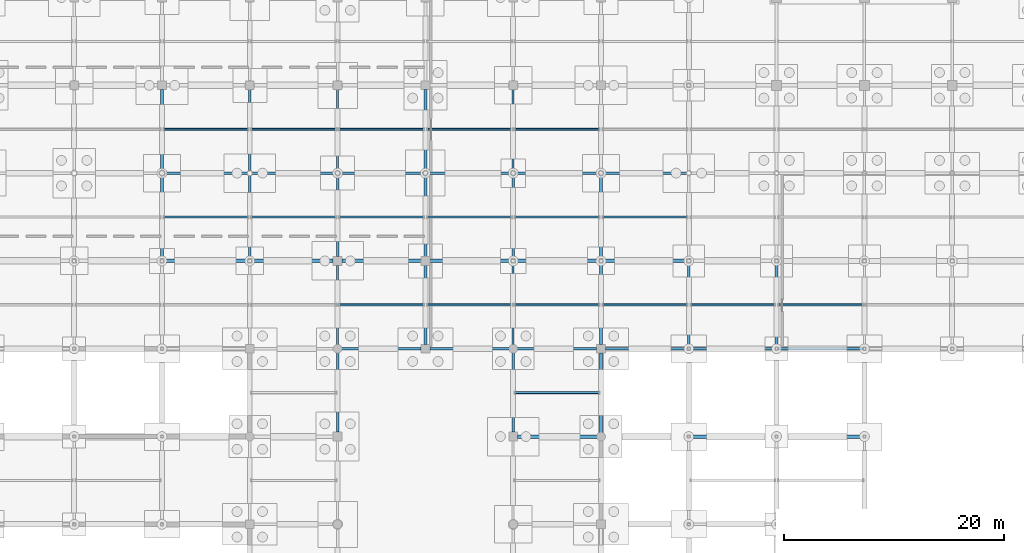
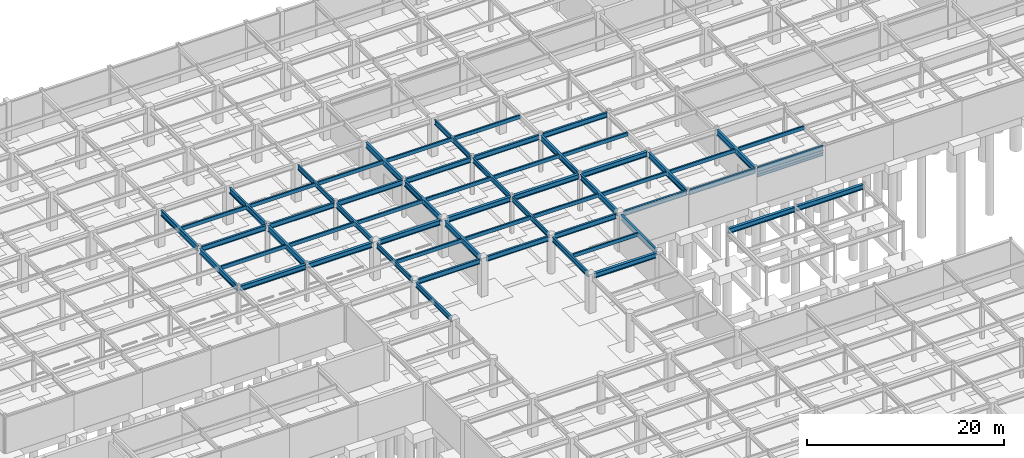
# One storey, part 49 of 105: 60 beams.
"""IFC4 building model written with IfcOpenShell, lengths in metres."""

from ifc_helpers import new_model, si_unit, direction, frame, origin, origin_2d, place, context, subcontext, project, spatial, hollow_rectangle, i_section, extrude, material, material_profile, profile_set, type_object, element, save


model = new_model("IFC4")

# Units and contexts
model_context = context("Model", 3, precision=1e-05, world=origin(), true_north=direction((0.0, 1.0)))
body_context = subcontext(model_context, "Body", "Model", "MODEL_VIEW")
ifc_project = project(units=[si_unit("LENGTHUNIT", "METRE"), si_unit("AREAUNIT", "SQUARE_METRE"), si_unit("VOLUMEUNIT", "CUBIC_METRE"), si_unit("PLANEANGLEUNIT", "RADIAN"), si_unit("MASSUNIT", "GRAM", prefix="KILO")], contexts=[model_context])

# Site, building, storey
site_placement = place(None, origin())
site = spatial("IfcSite", under=ifc_project, at=site_placement, CompositionType="ELEMENT")
building_placement = place(site_placement, origin())
building = spatial("IfcBuilding", under=site, at=building_placement, Name="Solmirada Galleria", CompositionType="ELEMENT")
storey_placement = place(building_placement, frame((0.0, 0.0, -4.800048828125)))
storey = spatial("IfcBuildingStorey", under=building, at=storey_placement, Name="B1", CompositionType="ELEMENT", Elevation=-4.800048828125)

# Beams
ifc_material_1 = material(Name="Steel S355 / ASTM A992 Grade 50", Category="steel")
ifc_material_profile_1 = material_profile(ifc_material_1, i_section(OverallWidth=0.323974609375, OverallDepth=0.611083984375, WebThickness=0.0126953125, FlangeThickness=0.01904296875, FilletRadius=0.014892578125, at=origin_2d()), Name="W24X104")
ifc_profile_set_1 = profile_set([ifc_material_profile_1], Name="Steel S355 / ASTM A992 Grade 50")
beam_type_1 = type_object("IfcBeamType", Name="BM-GIRD-W24A", PredefinedType="BEAM", material=ifc_profile_set_1)
beam_1_placement = place(storey_placement, frame((72.177978515625, 80.0, 4.274658203125), z_axis=(1.0, 0.0, 0.0), x_axis=(0.0, 1.0, 0.0)))
element("IfcBeam", 1, at=beam_1_placement, inside=storey, type_object=beam_type_1, Name="Primary beam L00 X(72..80, 80)", PredefinedType="BEAM", context=body_context, shape_type="SweptSolid", body=[
    extrude(i_section(OverallWidth=0.323974609375, OverallDepth=0.611083984375, WebThickness=0.0126953125, FlangeThickness=0.01904296875, FilletRadius=0.014892578125, at=origin_2d()), origin(), (0.0, 0.0, 1.0), 7.64404296875),
])
beam_2_placement = place(storey_placement, frame((80.177978515625, 80.0, 4.274658203125), z_axis=(1.0, 0.0, 0.0), x_axis=(0.0, 1.0, 0.0)))
element("IfcBeam", 2, at=beam_2_placement, inside=storey, type_object=beam_type_1, Name="Primary beam L00 X(80..88, 80)", PredefinedType="BEAM", context=body_context, shape_type="SweptSolid", body=[
    extrude(i_section(OverallWidth=0.323974609375, OverallDepth=0.611083984375, WebThickness=0.0126953125, FlangeThickness=0.01904296875, FilletRadius=0.014892578125, at=origin_2d()), origin(), (0.0, 0.0, 1.0), 7.422119140625),
])
beam_3_placement = place(storey_placement, frame((88.39990234375, 80.0, 4.274658203125), z_axis=(1.0, 0.0, 0.0), x_axis=(0.0, 1.0, 0.0)))
element("IfcBeam", 3, at=beam_3_placement, inside=storey, type_object=beam_type_1, Name="Primary beam L00 X(88..96, 80)", PredefinedType="BEAM", context=body_context, shape_type="SweptSolid", body=[
    extrude(i_section(OverallWidth=0.323974609375, OverallDepth=0.611083984375, WebThickness=0.0126953125, FlangeThickness=0.01904296875, FilletRadius=0.014892578125, at=origin_2d()), origin(), (0.0, 0.0, 1.0), 7.2001953125),
])
beam_4_placement = place(storey_placement, frame((96.39990234375, 80.0, 4.274658203125), z_axis=(1.0, 0.0, 0.0), x_axis=(0.0, 1.0, 0.0)))
element("IfcBeam", 4, at=beam_4_placement, inside=storey, type_object=beam_type_1, Name="Primary beam L00 X(96..104, 80)", PredefinedType="BEAM", context=body_context, shape_type="SweptSolid", body=[
    extrude(i_section(OverallWidth=0.323974609375, OverallDepth=0.611083984375, WebThickness=0.0126953125, FlangeThickness=0.01904296875, FilletRadius=0.014892578125, at=origin_2d()), origin(), (0.0, 0.0, 1.0), 7.422119140625),
])
beam_5_placement = place(storey_placement, frame((104.39990234375, 64.0, 4.274658203125), z_axis=(1.0, 0.0, 0.0), x_axis=(0.0, 1.0, 0.0)))
element("IfcBeam", 5, at=beam_5_placement, inside=storey, type_object=beam_type_1, Name="Primary beam L00 X(104..112, 64)", PredefinedType="BEAM", context=body_context, shape_type="SweptSolid", body=[
    extrude(i_section(OverallWidth=0.323974609375, OverallDepth=0.611083984375, WebThickness=0.0126953125, FlangeThickness=0.01904296875, FilletRadius=0.014892578125, at=origin_2d()), origin(), (0.0, 0.0, 1.0), 7.26416015625),
])
for number, where, z_axis, x_axis, name in (
    (6, (104.177978515625, 80.0, 4.274658203125), (1.0, 0.0, 0.0), (0.0, 1.0, 0.0), "Primary beam L00 X(104..112, 80)"),
    (7, (112.177978515625, 80.0, 4.274658203125), (1.0, 0.0, 0.0), (0.0, 1.0, 0.0), "Primary beam L00 X(112..120, 80)"),
):
    element("IfcBeam", number, at=place(storey_placement, frame(where, z_axis=z_axis, x_axis=x_axis)), inside=storey, type_object=beam_type_1, Name=name, PredefinedType="BEAM", context=body_context, shape_type="SweptSolid", body=[
        extrude(i_section(OverallWidth=0.323974609375, OverallDepth=0.611083984375, WebThickness=0.0126953125, FlangeThickness=0.01904296875, FilletRadius=0.014892578125, at=origin_2d()), origin(), (0.0, 0.0, 1.0), 7.64404296875),
    ])
for number, where, z_axis, x_axis, name in (
    (8, (120.126953125, 64.0, 4.274658203125), (1.0, 0.0, 0.0), (0.0, 1.0, 0.0), "Primary beam L00 X(120..128, 64)"),
    (9, (128.126953125, 64.0, 4.274658203125), (1.0, 0.0, 0.0), (0.0, 1.0, 0.0), "Primary beam L00 X(128..136, 64)"),
):
    element("IfcBeam", number, at=place(storey_placement, frame(where, z_axis=z_axis, x_axis=x_axis)), inside=storey, type_object=beam_type_1, Name=name, PredefinedType="BEAM", context=body_context, shape_type="SweptSolid", body=[
        extrude(i_section(OverallWidth=0.323974609375, OverallDepth=0.611083984375, WebThickness=0.0126953125, FlangeThickness=0.01904296875, FilletRadius=0.014892578125, at=origin_2d()), origin(), (0.0, 0.0, 1.0), 7.74609375),
    ])
ifc_material_profile_2 = material_profile(ifc_material_1, i_section(OverallWidth=0.22900390625, OverallDepth=0.612060546875, WebThickness=0.011962890625, FlangeThickness=0.01953125, FilletRadius=0.014892578125, at=origin_2d()), Name="W24X84")
ifc_profile_set_2 = profile_set([ifc_material_profile_2], Name="Steel S355 / ASTM A992 Grade 50")
beam_type_2 = type_object("IfcBeamType", Name="BM-GIRD-W24B", PredefinedType="BEAM", material=ifc_profile_set_2)
beam_6_placement = place(storey_placement, frame((72.21337890625, 88.0, 4.274169921875), z_axis=(1.0, 0.0, 0.0), x_axis=(0.0, 1.0, 0.0)))
element("IfcBeam", 10, at=beam_6_placement, inside=storey, type_object=beam_type_2, Name="Primary beam L00 X(72..80, 88)", PredefinedType="BEAM", context=body_context, shape_type="SweptSolid", body=[
    extrude(i_section(OverallWidth=0.22900390625, OverallDepth=0.612060546875, WebThickness=0.011962890625, FlangeThickness=0.01953125, FilletRadius=0.014892578125, at=origin_2d()), origin(), (0.0, 0.0, 1.0), 7.5732421875),
])
beam_7_placement = place(storey_placement, frame((80.21337890625, 88.0, 4.274169921875), z_axis=(1.0, 0.0, 0.0), x_axis=(0.0, 1.0, 0.0)))
element("IfcBeam", 11, at=beam_7_placement, inside=storey, type_object=beam_type_2, Name="Primary beam L00 X(80..88, 88)", PredefinedType="BEAM", context=body_context, shape_type="SweptSolid", body=[
    extrude(i_section(OverallWidth=0.22900390625, OverallDepth=0.612060546875, WebThickness=0.011962890625, FlangeThickness=0.01953125, FilletRadius=0.014892578125, at=origin_2d()), origin(), (0.0, 0.0, 1.0), 7.5947265625),
])
beam_8_placement = place(storey_placement, frame((88.3359375, 72.0, 4.274169921875), z_axis=(1.0, 0.0, 0.0), x_axis=(0.0, 1.0, 0.0)))
element("IfcBeam", 12, at=beam_8_placement, inside=storey, type_object=beam_type_2, Name="Primary beam L00 X(88..96, 72)", PredefinedType="BEAM", context=body_context, shape_type="SweptSolid", body=[
    extrude(i_section(OverallWidth=0.22900390625, OverallDepth=0.612060546875, WebThickness=0.011962890625, FlangeThickness=0.01953125, FilletRadius=0.014892578125, at=origin_2d()), origin(), (0.0, 0.0, 1.0), 7.26416015625),
])
beam_9_placement = place(storey_placement, frame((88.19189453125, 88.0, 4.274169921875), z_axis=(1.0, 0.0, 0.0), x_axis=(0.0, 1.0, 0.0)))
element("IfcBeam", 13, at=beam_9_placement, inside=storey, type_object=beam_type_2, Name="Primary beam L00 X(88..96, 88)", PredefinedType="BEAM", context=body_context, shape_type="SweptSolid", body=[
    extrude(i_section(OverallWidth=0.22900390625, OverallDepth=0.612060546875, WebThickness=0.011962890625, FlangeThickness=0.01953125, FilletRadius=0.014892578125, at=origin_2d()), origin(), (0.0, 0.0, 1.0), 7.6162109375),
])
beam_10_placement = place(storey_placement, frame((96.39990234375, 72.0, 4.274169921875), z_axis=(1.0, 0.0, 0.0), x_axis=(0.0, 1.0, 0.0)))
element("IfcBeam", 14, at=beam_10_placement, inside=storey, type_object=beam_type_2, Name="Primary beam L00 X(96..104, 72)", PredefinedType="BEAM", context=body_context, shape_type="SweptSolid", body=[
    extrude(i_section(OverallWidth=0.22900390625, OverallDepth=0.612060546875, WebThickness=0.011962890625, FlangeThickness=0.01953125, FilletRadius=0.014892578125, at=origin_2d()), origin(), (0.0, 0.0, 1.0), 7.26416015625),
])
beam_11_placement = place(storey_placement, frame((96.19189453125, 88.0, 4.274169921875), z_axis=(1.0, 0.0, 0.0), x_axis=(0.0, 1.0, 0.0)))
element("IfcBeam", 15, at=beam_11_placement, inside=storey, type_object=beam_type_2, Name="Primary beam L00 X(96..104, 88)", PredefinedType="BEAM", context=body_context, shape_type="SweptSolid", body=[
    extrude(i_section(OverallWidth=0.22900390625, OverallDepth=0.612060546875, WebThickness=0.011962890625, FlangeThickness=0.01953125, FilletRadius=0.014892578125, at=origin_2d()), origin(), (0.0, 0.0, 1.0), 7.6162109375),
])
beam_12_placement = place(storey_placement, frame((104.3359375, 72.0, 4.274169921875), z_axis=(1.0, 0.0, 0.0), x_axis=(0.0, 1.0, 0.0)))
element("IfcBeam", 16, at=beam_12_placement, inside=storey, type_object=beam_type_2, Name="Primary beam L00 X(104..112, 72)", PredefinedType="BEAM", context=body_context, shape_type="SweptSolid", body=[
    extrude(i_section(OverallWidth=0.22900390625, OverallDepth=0.612060546875, WebThickness=0.011962890625, FlangeThickness=0.01953125, FilletRadius=0.014892578125, at=origin_2d()), origin(), (0.0, 0.0, 1.0), 7.26416015625),
])
beam_13_placement = place(storey_placement, frame((104.19189453125, 88.0, 4.274169921875), z_axis=(1.0, 0.0, 0.0), x_axis=(0.0, 1.0, 0.0)))
element("IfcBeam", 17, at=beam_13_placement, inside=storey, type_object=beam_type_2, Name="Primary beam L00 X(104..112, 88)", PredefinedType="BEAM", context=body_context, shape_type="SweptSolid", body=[
    extrude(i_section(OverallWidth=0.22900390625, OverallDepth=0.612060546875, WebThickness=0.011962890625, FlangeThickness=0.01953125, FilletRadius=0.014892578125, at=origin_2d()), origin(), (0.0, 0.0, 1.0), 7.6162109375),
])
beam_14_placement = place(storey_placement, frame((112.39990234375, 72.0, 4.274169921875), z_axis=(1.0, 0.0, 0.0), x_axis=(0.0, 1.0, 0.0)))
element("IfcBeam", 18, at=beam_14_placement, inside=storey, type_object=beam_type_2, Name="Primary beam L00 X(112..120, 72)", PredefinedType="BEAM", context=body_context, shape_type="SweptSolid", body=[
    extrude(i_section(OverallWidth=0.22900390625, OverallDepth=0.612060546875, WebThickness=0.011962890625, FlangeThickness=0.01953125, FilletRadius=0.014892578125, at=origin_2d()), origin(), (0.0, 0.0, 1.0), 7.47314453125),
])
beam_15_placement = place(storey_placement, frame((112.19189453125, 88.0, 4.274169921875), z_axis=(1.0, 0.0, 0.0), x_axis=(0.0, 1.0, 0.0)))
element("IfcBeam", 19, at=beam_15_placement, inside=storey, type_object=beam_type_2, Name="Primary beam L00 X(112..120, 88)", PredefinedType="BEAM", context=body_context, shape_type="SweptSolid", body=[
    extrude(i_section(OverallWidth=0.22900390625, OverallDepth=0.612060546875, WebThickness=0.011962890625, FlangeThickness=0.01953125, FilletRadius=0.014892578125, at=origin_2d()), origin(), (0.0, 0.0, 1.0), 7.6162109375),
])
for number, where, z_axis, x_axis, name in (
    (20, (120.126953125, 72.0, 4.194091796875), (1.0, 0.0, 0.0), (0.0, 1.0, 0.0), "Primary beam L00 X(120..128, 72)"),
    (21, (128.126953125, 72.0, 4.194091796875), (1.0, 0.0, 0.0), (0.0, 1.0, 0.0), "Primary beam L00 X(128..136, 72)"),
):
    element("IfcBeam", number, at=place(storey_placement, frame(where, z_axis=z_axis, x_axis=x_axis)), inside=storey, type_object=beam_type_2, Name=name, PredefinedType="BEAM", context=body_context, shape_type="SweptSolid", body=[
        extrude(i_section(OverallWidth=0.22900390625, OverallDepth=0.612060546875, WebThickness=0.011962890625, FlangeThickness=0.01953125, FilletRadius=0.014892578125, at=origin_2d()), origin(), (0.0, 0.0, 1.0), 7.74609375),
    ])
ifc_material_profile_3 = material_profile(ifc_material_1, i_section(OverallWidth=0.22802734375, OverallDepth=0.60302734375, WebThickness=0.010498046875, FlangeThickness=0.014892578125, FilletRadius=0.014892578125, at=origin_2d()), Name="W24X68")
ifc_profile_set_3 = profile_set([ifc_material_profile_3], Name="Steel S355 / ASTM A992 Grade 50")
beam_type_3 = type_object("IfcBeamType", Name="BM-GIRD-W24C", PredefinedType="BEAM", material=ifc_profile_set_3)
beam_16_placement = place(storey_placement, frame((88.0, 64.39990234375, 4.278564453125), z_axis=(0.0, 1.0, 0.0), x_axis=(-1.0, 0.0, 0.0)))
element("IfcBeam", 22, at=beam_16_placement, inside=storey, type_object=beam_type_3, Name="Primary girder L00 Y(88, 64..72)", PredefinedType="BEAM", context=body_context, shape_type="SweptSolid", body=[
    extrude(i_section(OverallWidth=0.22802734375, OverallDepth=0.60302734375, WebThickness=0.010498046875, FlangeThickness=0.014892578125, FilletRadius=0.014892578125, at=origin_2d()), origin(), (0.0, 0.0, 1.0), 7.26416015625),
])
beam_17_placement = place(storey_placement, frame((88.0, 80.39990234375, 4.278564453125), z_axis=(0.0, 1.0, 0.0), x_axis=(-1.0, 0.0, 0.0)))
element("IfcBeam", 23, at=beam_17_placement, inside=storey, type_object=beam_type_3, Name="Primary girder L00 Y(88, 80..88)", PredefinedType="BEAM", context=body_context, shape_type="SweptSolid", body=[
    extrude(i_section(OverallWidth=0.22802734375, OverallDepth=0.60302734375, WebThickness=0.010498046875, FlangeThickness=0.014892578125, FilletRadius=0.014892578125, at=origin_2d()), origin(), (0.0, 0.0, 1.0), 7.408203125),
])
beam_18_placement = place(storey_placement, frame((104.0, 64.39990234375, 4.278564453125), z_axis=(0.0, 1.0, 0.0), x_axis=(-1.0, 0.0, 0.0)))
element("IfcBeam", 24, at=beam_18_placement, inside=storey, type_object=beam_type_3, Name="Primary girder L00 Y(104, 64..72)", PredefinedType="BEAM", context=body_context, shape_type="SweptSolid", body=[
    extrude(i_section(OverallWidth=0.22802734375, OverallDepth=0.60302734375, WebThickness=0.010498046875, FlangeThickness=0.014892578125, FilletRadius=0.014892578125, at=origin_2d()), origin(), (0.0, 0.0, 1.0), 7.26416015625),
])
beam_19_placement = place(storey_placement, frame((104.0, 80.177978515625, 4.278564453125), z_axis=(0.0, 1.0, 0.0), x_axis=(-1.0, 0.0, 0.0)))
element("IfcBeam", 25, at=beam_19_placement, inside=storey, type_object=beam_type_3, Name="Primary girder L00 Y(104, 80..88)", PredefinedType="BEAM", context=body_context, shape_type="SweptSolid", body=[
    extrude(i_section(OverallWidth=0.22802734375, OverallDepth=0.60302734375, WebThickness=0.010498046875, FlangeThickness=0.014892578125, FilletRadius=0.014892578125, at=origin_2d()), origin(), (0.0, 0.0, 1.0), 7.630126953125),
])
ifc_material_profile_4 = material_profile(ifc_material_1, i_section(OverallWidth=0.177978515625, OverallDepth=0.59912109375, WebThickness=0.010009765625, FlangeThickness=0.0126953125, FilletRadius=0.013916015625, at=origin_2d()), Name="W24X55")
ifc_profile_set_4 = profile_set([ifc_material_profile_4], Name="Steel S355 / ASTM A992 Grade 50")
beam_type_4 = type_object("IfcBeamType", Name="BM-GIRD-W24D", PredefinedType="BEAM", material=ifc_profile_set_4)
beam_20_placement = place(storey_placement, frame((88.0, 72.3359375, 4.280517578125), z_axis=(0.0, 1.0, 0.0), x_axis=(-1.0, 0.0, 0.0)))
element("IfcBeam", 26, at=beam_20_placement, inside=storey, type_object=beam_type_4, Name="Primary girder L00 Y(88, 72..80)", PredefinedType="BEAM", context=body_context, shape_type="SweptSolid", body=[
    extrude(i_section(OverallWidth=0.177978515625, OverallDepth=0.59912109375, WebThickness=0.010009765625, FlangeThickness=0.0126953125, FilletRadius=0.013916015625, at=origin_2d()), origin(), (0.0, 0.0, 1.0), 7.26416015625),
])
beam_21_placement = place(storey_placement, frame((88.0, 88.19189453125, 4.280517578125), z_axis=(0.0, 1.0, 0.0), x_axis=(-1.0, 0.0, 0.0)))
element("IfcBeam", 27, at=beam_21_placement, inside=storey, type_object=beam_type_4, Name="Primary girder L00 Y(88, 88..96)", PredefinedType="BEAM", context=body_context, shape_type="SweptSolid", body=[
    extrude(i_section(OverallWidth=0.177978515625, OverallDepth=0.59912109375, WebThickness=0.010009765625, FlangeThickness=0.0126953125, FilletRadius=0.013916015625, at=origin_2d()), origin(), (0.0, 0.0, 1.0), 7.408203125),
])
beam_22_placement = place(storey_placement, frame((104.0, 72.3359375, 4.280517578125), z_axis=(0.0, 1.0, 0.0), x_axis=(-1.0, 0.0, 0.0)))
element("IfcBeam", 28, at=beam_22_placement, inside=storey, type_object=beam_type_4, Name="Primary girder L00 Y(104, 72..80)", PredefinedType="BEAM", context=body_context, shape_type="SweptSolid", body=[
    extrude(i_section(OverallWidth=0.177978515625, OverallDepth=0.59912109375, WebThickness=0.010009765625, FlangeThickness=0.0126953125, FilletRadius=0.013916015625, at=origin_2d()), origin(), (0.0, 0.0, 1.0), 7.486083984375),
])
beam_23_placement = place(storey_placement, frame((104.0, 88.19189453125, 4.280517578125), z_axis=(0.0, 1.0, 0.0), x_axis=(-1.0, 0.0, 0.0)))
element("IfcBeam", 29, at=beam_23_placement, inside=storey, type_object=beam_type_4, Name="Primary girder L00 Y(104, 88..96)", PredefinedType="BEAM", context=body_context, shape_type="SweptSolid", body=[
    extrude(i_section(OverallWidth=0.177978515625, OverallDepth=0.59912109375, WebThickness=0.010009765625, FlangeThickness=0.0126953125, FilletRadius=0.013916015625, at=origin_2d()), origin(), (0.0, 0.0, 1.0), 7.408203125),
])
ifc_material_profile_5 = material_profile(ifc_material_1, i_section(OverallWidth=0.256103515625, OverallDepth=0.693115234375, WebThickness=0.014404296875, FlangeThickness=0.023681640625, FilletRadius=0.01806640625, at=origin_2d()), Name="W27X114")
ifc_profile_set_5 = profile_set([ifc_material_profile_5], Name="Steel S355 / ASTM A992 Grade 50")
beam_type_5 = type_object("IfcBeamType", Name="BM-GIRD-W27A", PredefinedType="BEAM", material=ifc_profile_set_5)
beam_24_placement = place(storey_placement, frame((72.0, 80.177978515625, 4.233642578125), z_axis=(0.0, 1.0, 0.0), x_axis=(-1.0, 0.0, 0.0)))
element("IfcBeam", 30, at=beam_24_placement, inside=storey, type_object=beam_type_5, Name="Primary girder L00 Y(72, 80..88)", PredefinedType="BEAM", context=body_context, shape_type="SweptSolid", body=[
    extrude(i_section(OverallWidth=0.256103515625, OverallDepth=0.693115234375, WebThickness=0.014404296875, FlangeThickness=0.023681640625, FilletRadius=0.01806640625, at=origin_2d()), origin(), (0.0, 0.0, 1.0), 7.608642578125),
])
beam_25_placement = place(storey_placement, frame((72.0, 88.21337890625, 4.233642578125), z_axis=(0.0, 1.0, 0.0), x_axis=(-1.0, 0.0, 0.0)))
element("IfcBeam", 31, at=beam_25_placement, inside=storey, type_object=beam_type_5, Name="Primary girder L00 Y(72, 88..96)", PredefinedType="BEAM", context=body_context, shape_type="SweptSolid", body=[
    extrude(i_section(OverallWidth=0.256103515625, OverallDepth=0.693115234375, WebThickness=0.014404296875, FlangeThickness=0.023681640625, FilletRadius=0.01806640625, at=origin_2d()), origin(), (0.0, 0.0, 1.0), 7.38671875),
])
beam_26_placement = place(storey_placement, frame((96.0, 72.39990234375, 4.233642578125), z_axis=(0.0, 1.0, 0.0), x_axis=(-1.0, 0.0, 0.0)))
element("IfcBeam", 32, at=beam_26_placement, inside=storey, type_object=beam_type_5, Name="Primary girder L00 Y(96, 72..80)", PredefinedType="BEAM", context=body_context, shape_type="SweptSolid", body=[
    extrude(i_section(OverallWidth=0.256103515625, OverallDepth=0.693115234375, WebThickness=0.014404296875, FlangeThickness=0.023681640625, FilletRadius=0.01806640625, at=origin_2d()), origin(), (0.0, 0.0, 1.0), 7.2001953125),
])
for number, where, z_axis, x_axis, name in (
    (33, (96.0, 80.39990234375, 4.233642578125), (0.0, 1.0, 0.0), (-1.0, 0.0, 0.0), "Primary girder L00 Y(96, 80..88)"),
    (34, (96.0, 88.19189453125, 4.233642578125), (0.0, 1.0, 0.0), (-1.0, 0.0, 0.0), "Primary girder L00 Y(96, 88..96)"),
):
    element("IfcBeam", number, at=place(storey_placement, frame(where, z_axis=z_axis, x_axis=x_axis)), inside=storey, type_object=beam_type_5, Name=name, PredefinedType="BEAM", context=body_context, shape_type="SweptSolid", body=[
        extrude(i_section(OverallWidth=0.256103515625, OverallDepth=0.693115234375, WebThickness=0.014404296875, FlangeThickness=0.023681640625, FilletRadius=0.01806640625, at=origin_2d()), origin(), (0.0, 0.0, 1.0), 7.408203125),
    ])
beam_27_placement = place(storey_placement, frame((120.0, 72.126953125, 4.153564453125), z_axis=(0.0, 1.0, 0.0), x_axis=(-1.0, 0.0, 0.0)))
element("IfcBeam", 35, at=beam_27_placement, inside=storey, type_object=beam_type_5, Name="Primary girder L00 Y(120, 72..80)", PredefinedType="BEAM", context=body_context, shape_type="SweptSolid", body=[
    extrude(i_section(OverallWidth=0.256103515625, OverallDepth=0.693115234375, WebThickness=0.014404296875, FlangeThickness=0.023681640625, FilletRadius=0.01806640625, at=origin_2d()), origin(), (0.0, 0.0, 1.0), 7.695068359375),
])
ifc_material_profile_6 = material_profile(ifc_material_1, i_section(OverallWidth=0.25390625, OverallDepth=0.68408203125, WebThickness=0.012451171875, FlangeThickness=0.018798828125, FilletRadius=0.01708984375, at=origin_2d()), Name="W27X94")
ifc_profile_set_6 = profile_set([ifc_material_profile_6], Name="Steel S355 / ASTM A992 Grade 50")
beam_type_6 = type_object("IfcBeamType", Name="BM-GIRD-W27B", PredefinedType="BEAM", material=ifc_profile_set_6)
beam_28_placement = place(storey_placement, frame((80.0, 80.177978515625, 4.238037109375), z_axis=(0.0, 1.0, 0.0), x_axis=(-1.0, 0.0, 0.0)))
element("IfcBeam", 36, at=beam_28_placement, inside=storey, type_object=beam_type_6, Name="Primary girder L00 Y(80, 80..88)", PredefinedType="BEAM", context=body_context, shape_type="SweptSolid", body=[
    extrude(i_section(OverallWidth=0.25390625, OverallDepth=0.68408203125, WebThickness=0.012451171875, FlangeThickness=0.018798828125, FilletRadius=0.01708984375, at=origin_2d()), origin(), (0.0, 0.0, 1.0), 7.608642578125),
])
beam_29_placement = place(storey_placement, frame((80.0, 88.21337890625, 4.238037109375), z_axis=(0.0, 1.0, 0.0), x_axis=(-1.0, 0.0, 0.0)))
element("IfcBeam", 37, at=beam_29_placement, inside=storey, type_object=beam_type_6, Name="Primary girder L00 Y(80, 88..96)", PredefinedType="BEAM", context=body_context, shape_type="SweptSolid", body=[
    extrude(i_section(OverallWidth=0.25390625, OverallDepth=0.68408203125, WebThickness=0.012451171875, FlangeThickness=0.018798828125, FilletRadius=0.01708984375, at=origin_2d()), origin(), (0.0, 0.0, 1.0), 7.38671875),
])
beam_30_placement = place(storey_placement, frame((112.0, 64.3359375, 4.238037109375), z_axis=(0.0, 1.0, 0.0), x_axis=(-1.0, 0.0, 0.0)))
element("IfcBeam", 38, at=beam_30_placement, inside=storey, type_object=beam_type_6, Name="Primary girder L00 Y(112, 64..72)", PredefinedType="BEAM", context=body_context, shape_type="SweptSolid", body=[
    extrude(i_section(OverallWidth=0.25390625, OverallDepth=0.68408203125, WebThickness=0.012451171875, FlangeThickness=0.018798828125, FilletRadius=0.01708984375, at=origin_2d()), origin(), (0.0, 0.0, 1.0), 7.26416015625),
])
beam_31_placement = place(storey_placement, frame((112.0, 72.39990234375, 4.238037109375), z_axis=(0.0, 1.0, 0.0), x_axis=(-1.0, 0.0, 0.0)))
element("IfcBeam", 39, at=beam_31_placement, inside=storey, type_object=beam_type_6, Name="Primary girder L00 Y(112, 72..80)", PredefinedType="BEAM", context=body_context, shape_type="SweptSolid", body=[
    extrude(i_section(OverallWidth=0.25390625, OverallDepth=0.68408203125, WebThickness=0.012451171875, FlangeThickness=0.018798828125, FilletRadius=0.01708984375, at=origin_2d()), origin(), (0.0, 0.0, 1.0), 7.422119140625),
])
beam_32_placement = place(storey_placement, frame((112.0, 80.177978515625, 4.238037109375), z_axis=(0.0, 1.0, 0.0), x_axis=(-1.0, 0.0, 0.0)))
element("IfcBeam", 40, at=beam_32_placement, inside=storey, type_object=beam_type_6, Name="Primary girder L00 Y(112, 80..88)", PredefinedType="BEAM", context=body_context, shape_type="SweptSolid", body=[
    extrude(i_section(OverallWidth=0.25390625, OverallDepth=0.68408203125, WebThickness=0.012451171875, FlangeThickness=0.018798828125, FilletRadius=0.01708984375, at=origin_2d()), origin(), (0.0, 0.0, 1.0), 7.630126953125),
])
beam_33_placement = place(storey_placement, frame((128.0, 72.126953125, 4.157958984375), z_axis=(0.0, 1.0, 0.0), x_axis=(-1.0, 0.0, 0.0)))
element("IfcBeam", 41, at=beam_33_placement, inside=storey, type_object=beam_type_6, Name="Primary girder L00 Y(128, 72..80)", PredefinedType="BEAM", context=body_context, shape_type="SweptSolid", body=[
    extrude(i_section(OverallWidth=0.25390625, OverallDepth=0.68408203125, WebThickness=0.012451171875, FlangeThickness=0.018798828125, FilletRadius=0.01708984375, at=origin_2d()), origin(), (0.0, 0.0, 1.0), 7.695068359375),
])
ifc_material_2 = material(Name="Steel S355 / ASTM A500 Grade C", Category="steel")
ifc_material_profile_7 = material_profile(ifc_material_2, hollow_rectangle(XDim=0.202880859375, YDim=0.45703125, WallThickness=0.01171875, InnerFilletRadius=0.01171875, OuterFilletRadius=0.023681640625, at=origin_2d()), Name="HSS18X8X1/2")
ifc_profile_set_7 = profile_set([ifc_material_profile_7], Name="Steel S355 / ASTM A500 Grade C")
beam_type_7 = type_object("IfcBeamType", Name="BM-JST-W16A", PredefinedType="JOIST", material=ifc_profile_set_7)
for number, where, z_axis, x_axis, name in (
    (42, (72.1279296875, 84.0, 4.3515625), (1.0, 0.0, 0.0), (0.0, 1.0, 0.0), "Composite floor joist L00 (72..80, 84.0)"),
    (43, (72.1279296875, 92.0, 4.3515625), (1.0, 0.0, 0.0), (0.0, 1.0, 0.0), "Composite floor joist L00 (72..80, 92.0)"),
):
    element("IfcBeam", number, at=place(storey_placement, frame(where, z_axis=z_axis, x_axis=x_axis)), inside=storey, type_object=beam_type_7, Name=name, PredefinedType="JOIST", context=body_context, shape_type="SweptSolid", body=[
        extrude(hollow_rectangle(XDim=0.202880859375, YDim=0.45703125, WallThickness=0.01171875, InnerFilletRadius=0.01171875, OuterFilletRadius=0.023681640625, at=origin_2d()), origin(), (0.0, 0.0, 1.0), 7.7451171875),
    ])
beam_34_placement = place(storey_placement, frame((80.126953125, 84.0, 4.3515625), z_axis=(1.0, 0.0, 0.0), x_axis=(0.0, 1.0, 0.0)))
element("IfcBeam", 44, at=beam_34_placement, inside=storey, type_object=beam_type_7, Name="Composite floor joist L00 (80..88, 84.0)", PredefinedType="JOIST", context=body_context, shape_type="SweptSolid", body=[
    extrude(hollow_rectangle(XDim=0.202880859375, YDim=0.45703125, WallThickness=0.01171875, InnerFilletRadius=0.01171875, OuterFilletRadius=0.023681640625, at=origin_2d()), origin(), (0.0, 0.0, 1.0), 7.759033203125),
])
beam_35_placement = place(storey_placement, frame((80.126953125, 92.0, 4.3515625), z_axis=(1.0, 0.0, 0.0), x_axis=(0.0, 1.0, 0.0)))
element("IfcBeam", 45, at=beam_35_placement, inside=storey, type_object=beam_type_7, Name="Composite floor joist L00 (80..88, 92.0)", PredefinedType="JOIST", context=body_context, shape_type="SweptSolid", body=[
    extrude(hollow_rectangle(XDim=0.202880859375, YDim=0.45703125, WallThickness=0.01171875, InnerFilletRadius=0.01171875, OuterFilletRadius=0.023681640625, at=origin_2d()), origin(), (0.0, 0.0, 1.0), 7.783935546875),
])
beam_36_placement = place(storey_placement, frame((88.089111328125, 76.0, 4.3515625), z_axis=(1.0, 0.0, 0.0), x_axis=(0.0, 1.0, 0.0)))
element("IfcBeam", 46, at=beam_36_placement, inside=storey, type_object=beam_type_7, Name="Composite floor joist L00 (88..96, 76.0)", PredefinedType="JOIST", context=body_context, shape_type="SweptSolid", body=[
    extrude(hollow_rectangle(XDim=0.202880859375, YDim=0.45703125, WallThickness=0.01171875, InnerFilletRadius=0.01171875, OuterFilletRadius=0.023681640625, at=origin_2d()), origin(), (0.0, 0.0, 1.0), 7.782958984375),
])
beam_37_placement = place(storey_placement, frame((88.114013671875, 84.0, 4.3515625), z_axis=(1.0, 0.0, 0.0), x_axis=(0.0, 1.0, 0.0)))
element("IfcBeam", 47, at=beam_37_placement, inside=storey, type_object=beam_type_7, Name="Composite floor joist L00 (88..96, 84.0)", PredefinedType="JOIST", context=body_context, shape_type="SweptSolid", body=[
    extrude(hollow_rectangle(XDim=0.202880859375, YDim=0.45703125, WallThickness=0.01171875, InnerFilletRadius=0.01171875, OuterFilletRadius=0.023681640625, at=origin_2d()), origin(), (0.0, 0.0, 1.0), 7.758056640625),
])
for number, where, z_axis, x_axis, name in (
    (48, (88.089111328125, 92.0, 4.3515625), (1.0, 0.0, 0.0), (0.0, 1.0, 0.0), "Composite floor joist L00 (88..96, 92.0)"),
    (49, (96.1279296875, 76.0, 4.3515625), (1.0, 0.0, 0.0), (0.0, 1.0, 0.0), "Composite floor joist L00 (96..104, 76.0)"),
):
    element("IfcBeam", number, at=place(storey_placement, frame(where, z_axis=z_axis, x_axis=x_axis)), inside=storey, type_object=beam_type_7, Name=name, PredefinedType="JOIST", context=body_context, shape_type="SweptSolid", body=[
        extrude(hollow_rectangle(XDim=0.202880859375, YDim=0.45703125, WallThickness=0.01171875, InnerFilletRadius=0.01171875, OuterFilletRadius=0.023681640625, at=origin_2d()), origin(), (0.0, 0.0, 1.0), 7.782958984375),
    ])
beam_38_placement = place(storey_placement, frame((96.1279296875, 84.0, 4.3515625), z_axis=(1.0, 0.0, 0.0), x_axis=(0.0, 1.0, 0.0)))
element("IfcBeam", 50, at=beam_38_placement, inside=storey, type_object=beam_type_7, Name="Composite floor joist L00 (96..104, 84.0)", PredefinedType="JOIST", context=body_context, shape_type="SweptSolid", body=[
    extrude(hollow_rectangle(XDim=0.202880859375, YDim=0.45703125, WallThickness=0.01171875, InnerFilletRadius=0.01171875, OuterFilletRadius=0.023681640625, at=origin_2d()), origin(), (0.0, 0.0, 1.0), 7.758056640625),
])
beam_39_placement = place(storey_placement, frame((96.1279296875, 92.0, 4.3515625), z_axis=(1.0, 0.0, 0.0), x_axis=(0.0, 1.0, 0.0)))
element("IfcBeam", 51, at=beam_39_placement, inside=storey, type_object=beam_type_7, Name="Composite floor joist L00 (96..104, 92.0)", PredefinedType="JOIST", context=body_context, shape_type="SweptSolid", body=[
    extrude(hollow_rectangle(XDim=0.202880859375, YDim=0.45703125, WallThickness=0.01171875, InnerFilletRadius=0.01171875, OuterFilletRadius=0.023681640625, at=origin_2d()), origin(), (0.0, 0.0, 1.0), 7.782958984375),
])
beam_40_placement = place(storey_placement, frame((104.114013671875, 68.0, 4.3515625), z_axis=(1.0, 0.0, 0.0), x_axis=(0.0, 1.0, 0.0)))
element("IfcBeam", 52, at=beam_40_placement, inside=storey, type_object=beam_type_7, Name="Composite floor joist L00 (104..112, 68.0)", PredefinedType="JOIST", context=body_context, shape_type="SweptSolid", body=[
    extrude(hollow_rectangle(XDim=0.202880859375, YDim=0.45703125, WallThickness=0.01171875, InnerFilletRadius=0.01171875, OuterFilletRadius=0.023681640625, at=origin_2d()), origin(), (0.0, 0.0, 1.0), 7.759033203125),
])
beam_41_placement = place(storey_placement, frame((104.089111328125, 76.0, 4.3515625), z_axis=(1.0, 0.0, 0.0), x_axis=(0.0, 1.0, 0.0)))
element("IfcBeam", 53, at=beam_41_placement, inside=storey, type_object=beam_type_7, Name="Composite floor joist L00 (104..112, 76.0)", PredefinedType="JOIST", context=body_context, shape_type="SweptSolid", body=[
    extrude(hollow_rectangle(XDim=0.202880859375, YDim=0.45703125, WallThickness=0.01171875, InnerFilletRadius=0.01171875, OuterFilletRadius=0.023681640625, at=origin_2d()), origin(), (0.0, 0.0, 1.0), 7.783935546875),
])
beam_42_placement = place(storey_placement, frame((104.114013671875, 84.0, 4.3515625), z_axis=(1.0, 0.0, 0.0), x_axis=(0.0, 1.0, 0.0)))
element("IfcBeam", 54, at=beam_42_placement, inside=storey, type_object=beam_type_7, Name="Composite floor joist L00 (104..112, 84.0)", PredefinedType="JOIST", context=body_context, shape_type="SweptSolid", body=[
    extrude(hollow_rectangle(XDim=0.202880859375, YDim=0.45703125, WallThickness=0.01171875, InnerFilletRadius=0.01171875, OuterFilletRadius=0.023681640625, at=origin_2d()), origin(), (0.0, 0.0, 1.0), 7.759033203125),
])
beam_43_placement = place(storey_placement, frame((104.089111328125, 92.0, 4.3515625), z_axis=(1.0, 0.0, 0.0), x_axis=(0.0, 1.0, 0.0)))
element("IfcBeam", 55, at=beam_43_placement, inside=storey, type_object=beam_type_7, Name="Composite floor joist L00 (104..112, 92.0)", PredefinedType="JOIST", context=body_context, shape_type="SweptSolid", body=[
    extrude(hollow_rectangle(XDim=0.202880859375, YDim=0.45703125, WallThickness=0.01171875, InnerFilletRadius=0.01171875, OuterFilletRadius=0.023681640625, at=origin_2d()), origin(), (0.0, 0.0, 1.0), 7.783935546875),
])
for number, where, z_axis, x_axis, name in (
    (56, (112.126953125, 76.0, 4.271484375), (1.0, 0.0, 0.0), (0.0, 1.0, 0.0), "Composite floor joist L00 (112..120, 76.0)"),
    (57, (112.126953125, 84.0, 4.271484375), (1.0, 0.0, 0.0), (0.0, 1.0, 0.0), "Composite floor joist L00 (112..120, 84.0)"),
    (58, (120.1279296875, 76.0, 4.271484375), (1.0, 0.0, 0.0), (0.0, 1.0, 0.0), "Composite floor joist L00 (120..128, 76.0)"),
):
    element("IfcBeam", number, at=place(storey_placement, frame(where, z_axis=z_axis, x_axis=x_axis)), inside=storey, type_object=beam_type_7, Name=name, PredefinedType="JOIST", context=body_context, shape_type="SweptSolid", body=[
        extrude(hollow_rectangle(XDim=0.202880859375, YDim=0.45703125, WallThickness=0.01171875, InnerFilletRadius=0.01171875, OuterFilletRadius=0.023681640625, at=origin_2d()), origin(), (0.0, 0.0, 1.0), 7.7451171875),
    ])
beam_44_placement = place(storey_placement, frame((128.126953125, 76.0, 4.271484375), z_axis=(1.0, 0.0, 0.0), x_axis=(0.0, 1.0, 0.0)))
element("IfcBeam", 59, at=beam_44_placement, inside=storey, type_object=beam_type_7, Name="Composite floor joist L00 (128..136, 76.0)", PredefinedType="JOIST", context=body_context, shape_type="SweptSolid", body=[
    extrude(hollow_rectangle(XDim=0.202880859375, YDim=0.45703125, WallThickness=0.01171875, InnerFilletRadius=0.01171875, OuterFilletRadius=0.023681640625, at=origin_2d()), origin(), (0.0, 0.0, 1.0), 7.783935546875),
])
ifc_material_profile_8 = material_profile(ifc_material_1, i_section(OverallWidth=0.205078125, OverallDepth=0.35400390625, WebThickness=0.009521484375, FlangeThickness=0.016845703125, FilletRadius=0.012939453125, at=origin_2d()), Name="W14X53")
ifc_profile_set_8 = profile_set([ifc_material_profile_8], Name="Steel S355 / ASTM A992 Grade 50")
beam_type_8 = type_object("IfcBeamType", Name="BM-LINT-W14", PredefinedType="LINTEL", material=ifc_profile_set_8)
beam_45_placement = place(storey_placement, frame((128.126953125, 72.0, 3.47314453125), z_axis=(1.0, 0.0, 0.0), x_axis=(0.0, 1.0, 0.0)))
element("IfcBeam", 60, at=beam_45_placement, inside=storey, type_object=beam_type_8, Name="Portal lintel beam L00 X=128..136", PredefinedType="LINTEL", context=body_context, shape_type="SweptSolid", body=[
    extrude(i_section(OverallWidth=0.205078125, OverallDepth=0.35400390625, WebThickness=0.009521484375, FlangeThickness=0.016845703125, FilletRadius=0.012939453125, at=origin_2d()), origin(), (0.0, 0.0, 1.0), 7.74609375),
])

save(model, "model.ifc")
